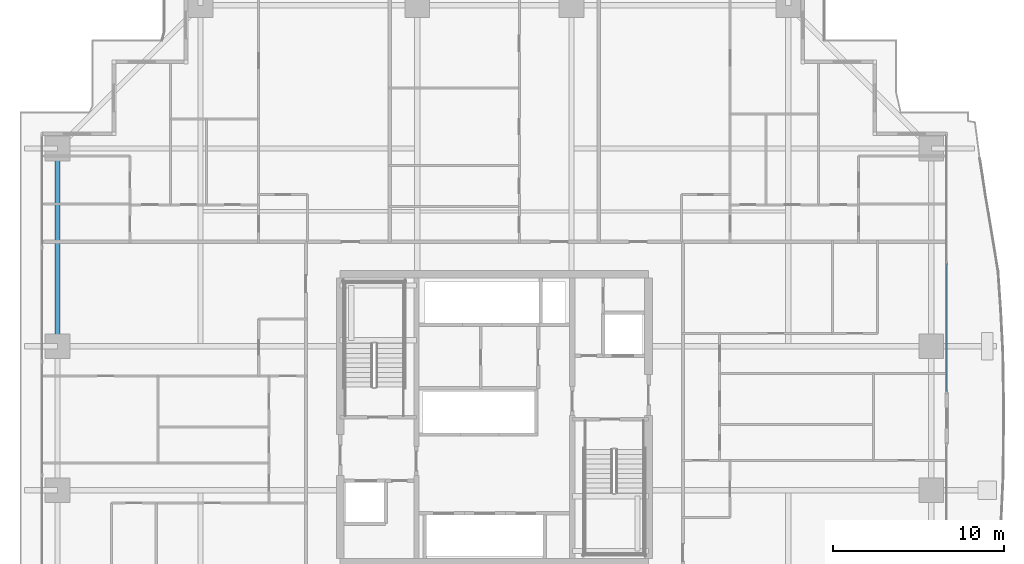
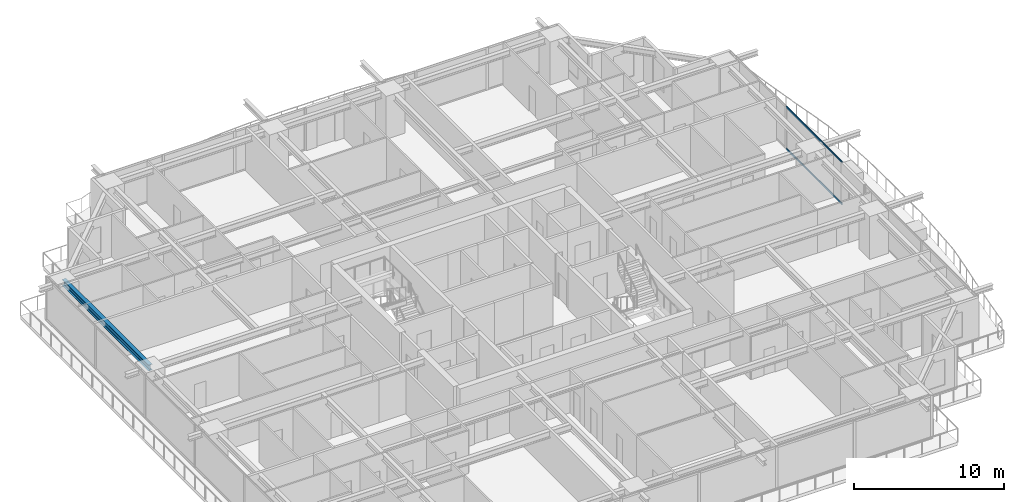
# One storey, part 15 of 37: 2 members, 1 beam, 1 element without a shape of its own.
"""IFC4 building model written with IfcOpenShell, lengths in metres."""

from ifc_helpers import new_model, si_unit, direction, frame, origin, origin_2d, place, context, subcontext, project, spatial, hollow_rectangle, i_section, extrude, source, transform, mapped, material, layer, layer_set, material_profile, profile_set, type_object, element, aggregate, save


model = new_model("IFC4")

# Units and contexts
model_context = context("Model", 3, precision=1e-05, world=origin(), true_north=direction((0.0, 1.0)))
body_context = subcontext(model_context, "Body", "Model", "MODEL_VIEW")
ifc_project = project(units=[si_unit("LENGTHUNIT", "METRE"), si_unit("AREAUNIT", "SQUARE_METRE"), si_unit("VOLUMEUNIT", "CUBIC_METRE"), si_unit("PLANEANGLEUNIT", "RADIAN"), si_unit("MASSUNIT", "GRAM", prefix="KILO")], contexts=[model_context])

# Site, building, storey
site_placement = place(None, origin())
site = spatial("IfcSite", under=ifc_project, at=site_placement, CompositionType="ELEMENT")
building_placement = place(site_placement, origin())
building = spatial("IfcBuilding", under=site, at=building_placement, Name="Serunith Strait Residences", CompositionType="ELEMENT")
storey_placement = place(building_placement, frame((0.0, 0.0, 34.199951171875)))
storey = spatial("IfcBuildingStorey", under=building, at=storey_placement, Name="L07", CompositionType="ELEMENT", Elevation=34.199951171875)

# Beam
ifc_material_1 = material(Name="Steel S355J2", Category="steel")
ifc_material_profile_1 = material_profile(ifc_material_1, i_section(OverallWidth=0.300048828125, OverallDepth=0.5, WebThickness=0.014404296875, FlangeThickness=0.028076171875, FilletRadius=0.027099609375, at=origin_2d()), Name="HEB 500")
ifc_profile_set_1 = profile_set([ifc_material_profile_1], Name="Steel S355J2")
beam_type = type_object("IfcBeamType", Name="BM-HEB500", PredefinedType="BEAM", material=ifc_profile_set_1)
shared_shape_1 = source(origin(), body_context, "Body", "SweptSolid", [
    extrude(i_section(OverallWidth=0.300048828125, OverallDepth=0.5, WebThickness=0.014404296875, FlangeThickness=0.028076171875, FilletRadius=0.027099609375, at=origin_2d()), origin(), (0.0, 0.0, 1.0), 11.550048828125),
])
beam_placement = place(storey_placement, frame((6.89990234375, 40.949951171875, 3.237060546875), z_axis=(0.0, -1.0, 0.0), x_axis=(1.0, 0.0, 0.0)))
element("IfcBeam", 1, at=beam_placement, inside=storey, type_object=beam_type, Name="L07 Perimeter Ring Beam 13", PredefinedType="BEAM", context=body_context, shape_type="MappedRepresentation", body=[
    mapped(shared_shape_1, transform((0.0, 0.0, 0.0), scale=1.0)),
])

# Curtain wall, members
ifc_material_2 = material(Name="Pale-Champagne Anodised Aluminium", Category="aluminium")
ifc_layer = layer(ifc_material_2, 0.199951171875, Name="Pale-Champagne Anodised Aluminium")
ifc_layer_set = layer_set([ifc_layer], Name="Pale-Champagne Anodised Aluminium")
curtain_wall_type = type_object("IfcCurtainWallType", Name="CW-SYS1", PredefinedType="NOTDEFINED", material=ifc_layer_set)
curtain_wall_placement = place(storey_placement, origin())
curtain_wall = element("IfcCurtainWall", 2, at=curtain_wall_placement, inside=storey, type_object=curtain_wall_type, Name="L07 E Unitised Fritted Curtain Wall", PredefinedType="NOTDEFINED")
ifc_material_profile_2 = material_profile(ifc_material_2, hollow_rectangle(XDim=0.06005859375, YDim=0.159912109375, WallThickness=0.00341796875, InnerFilletRadius=0.00537109375, OuterFilletRadius=0.0087890625, at=origin_2d()), Name="ALU 160x60x3.5")
ifc_profile_set_2 = profile_set([ifc_material_profile_2], Name="Pale-Champagne Anodised Aluminium")
member_type = type_object("IfcMemberType", Name="CW-SYS1-TRAN", PredefinedType="USERDEFINED", material=ifc_profile_set_2)
shared_shape_2 = source(origin(), body_context, "Body", "SweptSolid", [
    extrude(hollow_rectangle(XDim=0.06005859375, YDim=0.159912109375, WallThickness=0.00341796875, InnerFilletRadius=0.00537109375, OuterFilletRadius=0.0087890625, at=origin_2d()), origin(), (0.0, 0.0, 1.0), 7.445068359375),
])
member_1_placement = place(storey_placement, frame((58.800048828125, 26.77001953125, 0.030029296875), z_axis=(0.0, 1.0, 0.0), x_axis=(-1.0, 0.0, 0.0)))
member_1 = element("IfcMember", 3, at=member_1_placement, type_object=member_type, Name="CW-1 transom 1.1", ObjectType="TRANSOM", PredefinedType="USERDEFINED", context=body_context, shape_type="MappedRepresentation", body=[
    mapped(shared_shape_2, transform((0.0, 0.0, 0.0), scale=1.0)),
])
member_2_placement = place(storey_placement, frame((58.800048828125, 26.77001953125, 3.445068359375), z_axis=(0.0, 1.0, 0.0), x_axis=(-1.0, 0.0, 0.0)))
member_2 = element("IfcMember", 4, at=member_2_placement, type_object=member_type, Name="CW-1 transom 1.2", ObjectType="TRANSOM", PredefinedType="USERDEFINED", context=body_context, shape_type="MappedRepresentation", body=[
    mapped(shared_shape_2, transform((0.0, 0.0, 0.0), scale=1.0)),
])
aggregate(curtain_wall, [member_1, member_2])

save(model, "model.ifc")
